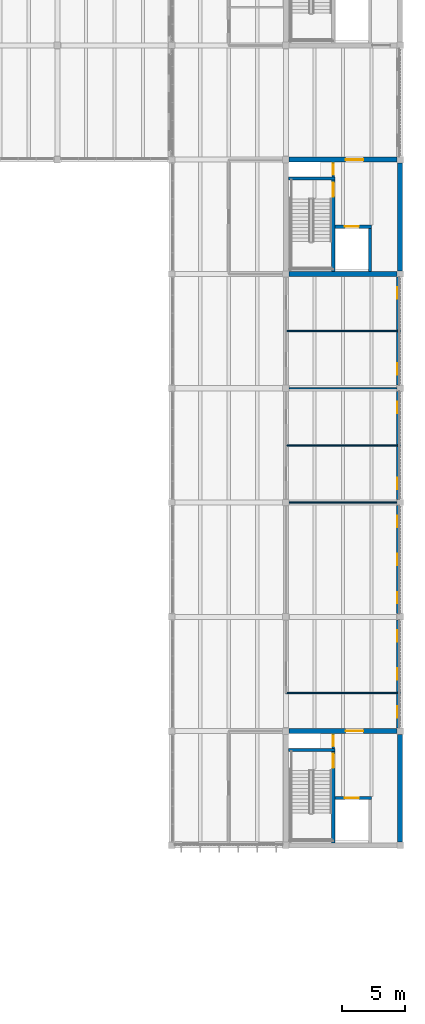
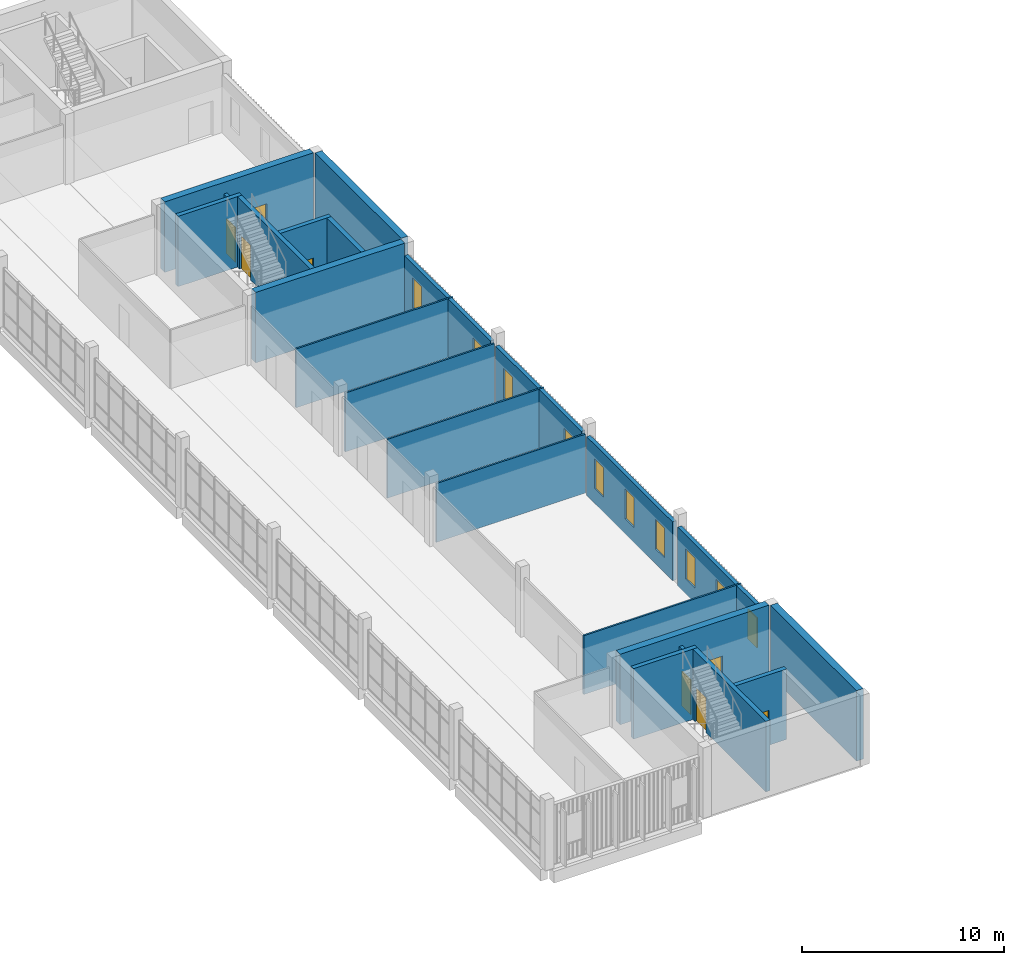
# One storey, part 55 of 92: 26 walls, 10 windows, 8 doors, 18 openings.
"""IFC4 building model written with IfcOpenShell, lengths in metres."""

from ifc_helpers import new_model, si_unit, direction, frame, frame_2d, origin, place, context, subcontext, project, spatial, rectangle, extrude, material, layer, layer_set, type_object, element, fill, save


model = new_model("IFC4")

# Units and contexts
model_context = context("Model", 3, precision=1e-05, world=origin(), true_north=direction((0.0, 1.0)))
body_context = subcontext(model_context, "Body", "Model", "MODEL_VIEW")
ifc_project = project(units=[si_unit("LENGTHUNIT", "METRE"), si_unit("AREAUNIT", "SQUARE_METRE"), si_unit("VOLUMEUNIT", "CUBIC_METRE"), si_unit("PLANEANGLEUNIT", "RADIAN"), si_unit("MASSUNIT", "GRAM", prefix="KILO")], contexts=[model_context])

# Site, building, storey
site_placement = place(None, origin())
site = spatial("IfcSite", under=ifc_project, at=site_placement, CompositionType="ELEMENT")
building_placement = place(site_placement, origin())
building = spatial("IfcBuilding", under=site, at=building_placement, Name="Merrow Basin Faculty of Sciences", CompositionType="ELEMENT")
storey_placement = place(building_placement, frame((0.0, 0.0, 4.5)))
storey = spatial("IfcBuildingStorey", under=building, at=storey_placement, Name="L01", CompositionType="ELEMENT", Elevation=4.5)

# Wall, opening, window
ifc_material_1 = material(Name="Precast concrete C40/50", Category="concrete")
ifc_layer_1 = layer(ifc_material_1, 0.215087890625)
ifc_layer_set_1 = layer_set([ifc_layer_1], Name="External infill wall 215 Precast concrete C40/50")
wall_type_1 = type_object("IfcWallType", Name="External infill wall 215 Precast concrete C40/50", PredefinedType="STANDARD", material=ifc_layer_set_1)
wall_1_placement = place(storey_placement, frame((71.80810546875, 72.949951171875, 0.0), z_axis=(0.0, 0.0, 1.0), x_axis=(0.0, -1.0, 0.0)))
wall_1 = element("IfcWall", 1, at=wall_1_placement, inside=storey, type_object=wall_type_1, Name="E external wall 1", PredefinedType="STANDARD", context=body_context, shape_type="SweptSolid", body=[
    extrude(rectangle(XDim=2.699951171875, YDim=0.215087890625, at=frame_2d((1.35009765625, 0.0))), origin(), (0.0, 0.0, 1.0), 3.550048828125),
])
opening_1_placement = place(wall_1_placement, frame((1.0, 0.0, 0.89990234375)))
opening_1 = element("IfcOpeningElement", 2, at=opening_1_placement, cuts=wall_1, Name="Opening WN17", PredefinedType="OPENING", context=body_context, shape_type="SweptSolid", body=[
    extrude(rectangle(XDim=0.89990234375, YDim=1.800048828125, at=frame_2d((0.449951171875, 0.89990234375))), frame((0.0, 0.117431640625, 0.0), z_axis=(0.0, -1.0, 0.0), x_axis=(1.0, 0.0, 0.0)), (0.0, 0.0, 1.0), 0.235107421875),
])
ifc_material_2 = material(Name="Low-E double glazing", Category="glass")
window_type = type_object("IfcWindowType", Name="Boundary window 900 x 1800", PartitioningType="SINGLE_PANEL", PredefinedType="WINDOW", material=ifc_material_2)
window_1_placement = place(opening_1_placement, origin())
window_1 = element("IfcWindow", 3, at=window_1_placement, inside=storey, type_object=window_type, Name="E window L01", OverallHeight=1.800048828125, OverallWidth=0.89990234375, PartitioningType="SINGLE_PANEL", PredefinedType="WINDOW", context=body_context, shape_type="SweptSolid", body=[
    extrude(rectangle(XDim=0.89990234375, YDim=1.800048828125, at=frame_2d((0.449951171875, 0.89990234375))), frame((0.0, 0.030029296875, 0.0), z_axis=(0.0, -1.0, 0.0), x_axis=(1.0, 0.0, 0.0)), (0.0, 0.0, 1.0), 0.06005859375),
])
fill(opening_1, window_1)

# Wall, openings, windows
wall_2_placement = place(storey_placement, frame((71.80810546875, 78.75, 0.0), z_axis=(0.0, 0.0, 1.0), x_axis=(0.0, -1.0, 0.0)))
wall_2 = element("IfcWall", 4, at=wall_2_placement, inside=storey, type_object=wall_type_1, Name="E external wall 2", PredefinedType="STANDARD", context=body_context, shape_type="SweptSolid", body=[
    extrude(rectangle(XDim=5.699951171875, YDim=0.215087890625, at=frame_2d((2.85009765625, 0.0))), origin(), (0.0, 0.0, 1.0), 3.550048828125),
])
opening_2_placement = place(wall_2_placement, frame((3.800048828125, 0.0, 0.89990234375)))
opening_2 = element("IfcOpeningElement", 5, at=opening_2_placement, cuts=wall_2, Name="Opening WN17", PredefinedType="OPENING", context=body_context, shape_type="SweptSolid", body=[
    extrude(rectangle(XDim=0.89990234375, YDim=1.800048828125, at=frame_2d((0.449951171875, 0.89990234375))), frame((0.0, 0.117431640625, 0.0), z_axis=(0.0, -1.0, 0.0), x_axis=(1.0, 0.0, 0.0)), (0.0, 0.0, 1.0), 0.235107421875),
])
opening_3_placement = place(wall_2_placement, frame((0.800048828125, 0.0, 0.89990234375)))
opening_3 = element("IfcOpeningElement", 6, at=opening_3_placement, cuts=wall_2, Name="Opening WN17", PredefinedType="OPENING", context=body_context, shape_type="SweptSolid", body=[
    extrude(rectangle(XDim=0.89990234375, YDim=1.800048828125, at=frame_2d((0.449951171875, 0.89990234375))), frame((0.0, 0.117431640625, 0.0), z_axis=(0.0, -1.0, 0.0), x_axis=(1.0, 0.0, 0.0)), (0.0, 0.0, 1.0), 0.235107421875),
])
window_2_placement = place(opening_2_placement, origin())
window_2 = element("IfcWindow", 7, at=window_2_placement, inside=storey, type_object=window_type, Name="E window L01", OverallHeight=1.800048828125, OverallWidth=0.89990234375, PartitioningType="SINGLE_PANEL", PredefinedType="WINDOW", context=body_context, shape_type="SweptSolid", body=[
    extrude(rectangle(XDim=0.89990234375, YDim=1.800048828125, at=frame_2d((0.449951171875, 0.89990234375))), frame((0.0, 0.030029296875, 0.0), z_axis=(0.0, -1.0, 0.0), x_axis=(1.0, 0.0, 0.0)), (0.0, 0.0, 1.0), 0.06005859375),
])
fill(opening_2, window_2)
window_3_placement = place(opening_3_placement, origin())
window_3 = element("IfcWindow", 8, at=window_3_placement, inside=storey, type_object=window_type, Name="E window L01", OverallHeight=1.800048828125, OverallWidth=0.89990234375, PartitioningType="SINGLE_PANEL", PredefinedType="WINDOW", context=body_context, shape_type="SweptSolid", body=[
    extrude(rectangle(XDim=0.89990234375, YDim=1.800048828125, at=frame_2d((0.449951171875, 0.89990234375))), frame((0.0, 0.030029296875, 0.0), z_axis=(0.0, -1.0, 0.0), x_axis=(1.0, 0.0, 0.0)), (0.0, 0.0, 1.0), 0.06005859375),
])
fill(opening_3, window_3)

wall_3_placement = place(storey_placement, frame((71.80810546875, 87.75, 0.0), z_axis=(0.0, 0.0, 1.0), x_axis=(0.0, -1.0, 0.0)))
wall_3 = element("IfcWall", 9, at=wall_3_placement, inside=storey, type_object=wall_type_1, Name="E external wall 3", PredefinedType="STANDARD", context=body_context, shape_type="SweptSolid", body=[
    extrude(rectangle(XDim=8.5, YDim=0.215087890625, at=frame_2d((4.25, 0.0))), origin(), (0.0, 0.0, 1.0), 3.550048828125),
])
opening_4_placement = place(wall_3_placement, frame((6.800048828125, 0.0, 0.89990234375)))
opening_4 = element("IfcOpeningElement", 10, at=opening_4_placement, cuts=wall_3, Name="Opening WN17", PredefinedType="OPENING", context=body_context, shape_type="SweptSolid", body=[
    extrude(rectangle(XDim=0.89990234375, YDim=1.800048828125, at=frame_2d((0.449951171875, 0.89990234375))), frame((0.0, 0.117431640625, 0.0), z_axis=(0.0, -1.0, 0.0), x_axis=(1.0, 0.0, 0.0)), (0.0, 0.0, 1.0), 0.235107421875),
])
opening_5_placement = place(wall_3_placement, frame((3.800048828125, 0.0, 0.89990234375)))
opening_5 = element("IfcOpeningElement", 11, at=opening_5_placement, cuts=wall_3, Name="Opening WN17", PredefinedType="OPENING", context=body_context, shape_type="SweptSolid", body=[
    extrude(rectangle(XDim=0.89990234375, YDim=1.800048828125, at=frame_2d((0.449951171875, 0.89990234375))), frame((0.0, 0.117431640625, 0.0), z_axis=(0.0, -1.0, 0.0), x_axis=(1.0, 0.0, 0.0)), (0.0, 0.0, 1.0), 0.235107421875),
])
opening_6_placement = place(wall_3_placement, frame((0.800048828125, 0.0, 0.89990234375)))
opening_6 = element("IfcOpeningElement", 12, at=opening_6_placement, cuts=wall_3, Name="Opening WN17", PredefinedType="OPENING", context=body_context, shape_type="SweptSolid", body=[
    extrude(rectangle(XDim=0.89990234375, YDim=1.800048828125, at=frame_2d((0.449951171875, 0.89990234375))), frame((0.0, 0.117431640625, 0.0), z_axis=(0.0, -1.0, 0.0), x_axis=(1.0, 0.0, 0.0)), (0.0, 0.0, 1.0), 0.235107421875),
])
window_4_placement = place(opening_4_placement, origin())
window_4 = element("IfcWindow", 13, at=window_4_placement, inside=storey, type_object=window_type, Name="E window L01", OverallHeight=1.800048828125, OverallWidth=0.89990234375, PartitioningType="SINGLE_PANEL", PredefinedType="WINDOW", context=body_context, shape_type="SweptSolid", body=[
    extrude(rectangle(XDim=0.89990234375, YDim=1.800048828125, at=frame_2d((0.449951171875, 0.89990234375))), frame((0.0, 0.030029296875, 0.0), z_axis=(0.0, -1.0, 0.0), x_axis=(1.0, 0.0, 0.0)), (0.0, 0.0, 1.0), 0.06005859375),
])
fill(opening_4, window_4)
window_5_placement = place(opening_5_placement, origin())
window_5 = element("IfcWindow", 14, at=window_5_placement, inside=storey, type_object=window_type, Name="E window L01", OverallHeight=1.800048828125, OverallWidth=0.89990234375, PartitioningType="SINGLE_PANEL", PredefinedType="WINDOW", context=body_context, shape_type="SweptSolid", body=[
    extrude(rectangle(XDim=0.89990234375, YDim=1.800048828125, at=frame_2d((0.449951171875, 0.89990234375))), frame((0.0, 0.030029296875, 0.0), z_axis=(0.0, -1.0, 0.0), x_axis=(1.0, 0.0, 0.0)), (0.0, 0.0, 1.0), 0.06005859375),
])
fill(opening_5, window_5)
window_6_placement = place(opening_6_placement, origin())
window_6 = element("IfcWindow", 15, at=window_6_placement, inside=storey, type_object=window_type, Name="E window L01", OverallHeight=1.800048828125, OverallWidth=0.89990234375, PartitioningType="SINGLE_PANEL", PredefinedType="WINDOW", context=body_context, shape_type="SweptSolid", body=[
    extrude(rectangle(XDim=0.89990234375, YDim=1.800048828125, at=frame_2d((0.449951171875, 0.89990234375))), frame((0.0, 0.030029296875, 0.0), z_axis=(0.0, -1.0, 0.0), x_axis=(1.0, 0.0, 0.0)), (0.0, 0.0, 1.0), 0.06005859375),
])
fill(opening_6, window_6)

# Wall, opening, window
wall_4_placement = place(storey_placement, frame((71.80810546875, 92.449951171875, 0.0), z_axis=(0.0, 0.0, 1.0), x_axis=(0.0, -1.0, 0.0)))
wall_4 = element("IfcWall", 16, at=wall_4_placement, inside=storey, type_object=wall_type_1, Name="E external wall 4", PredefinedType="STANDARD", context=body_context, shape_type="SweptSolid", body=[
    extrude(rectangle(XDim=4.199951171875, YDim=0.215087890625, at=frame_2d((2.10009765625, 0.0))), origin(), (0.0, 0.0, 1.0), 3.550048828125),
])
opening_7_placement = place(wall_4_placement, frame((2.5, 0.0, 0.89990234375)))
opening_7 = element("IfcOpeningElement", 17, at=opening_7_placement, cuts=wall_4, Name="Opening WN17", PredefinedType="OPENING", context=body_context, shape_type="SweptSolid", body=[
    extrude(rectangle(XDim=0.89990234375, YDim=1.800048828125, at=frame_2d((0.449951171875, 0.89990234375))), frame((0.0, 0.117431640625, 0.0), z_axis=(0.0, -1.0, 0.0), x_axis=(1.0, 0.0, 0.0)), (0.0, 0.0, 1.0), 0.235107421875),
])
window_7_placement = place(opening_7_placement, origin())
window_7 = element("IfcWindow", 18, at=window_7_placement, inside=storey, type_object=window_type, Name="E window L01", OverallHeight=1.800048828125, OverallWidth=0.89990234375, PartitioningType="SINGLE_PANEL", PredefinedType="WINDOW", context=body_context, shape_type="SweptSolid", body=[
    extrude(rectangle(XDim=0.89990234375, YDim=1.800048828125, at=frame_2d((0.449951171875, 0.89990234375))), frame((0.0, 0.030029296875, 0.0), z_axis=(0.0, -1.0, 0.0), x_axis=(1.0, 0.0, 0.0)), (0.0, 0.0, 1.0), 0.06005859375),
])
fill(opening_7, window_7)

wall_5_placement = place(storey_placement, frame((71.80810546875, 96.75, 0.0), z_axis=(0.0, 0.0, 1.0), x_axis=(0.0, -1.0, 0.0)))
wall_5 = element("IfcWall", 19, at=wall_5_placement, inside=storey, type_object=wall_type_1, Name="E external wall 5", PredefinedType="STANDARD", context=body_context, shape_type="SweptSolid", body=[
    extrude(rectangle(XDim=4.199951171875, YDim=0.215087890625, at=frame_2d((2.10009765625, 0.0))), origin(), (0.0, 0.0, 1.0), 3.550048828125),
])
opening_8_placement = place(wall_5_placement, frame((0.800048828125, 0.0, 0.89990234375)))
opening_8 = element("IfcOpeningElement", 20, at=opening_8_placement, cuts=wall_5, Name="Opening WN17", PredefinedType="OPENING", context=body_context, shape_type="SweptSolid", body=[
    extrude(rectangle(XDim=0.89990234375, YDim=1.800048828125, at=frame_2d((0.449951171875, 0.89990234375))), frame((0.0, 0.117431640625, 0.0), z_axis=(0.0, -1.0, 0.0), x_axis=(1.0, 0.0, 0.0)), (0.0, 0.0, 1.0), 0.235107421875),
])
window_8_placement = place(opening_8_placement, origin())
window_8 = element("IfcWindow", 21, at=window_8_placement, inside=storey, type_object=window_type, Name="E window L01", OverallHeight=1.800048828125, OverallWidth=0.89990234375, PartitioningType="SINGLE_PANEL", PredefinedType="WINDOW", context=body_context, shape_type="SweptSolid", body=[
    extrude(rectangle(XDim=0.89990234375, YDim=1.800048828125, at=frame_2d((0.449951171875, 0.89990234375))), frame((0.0, 0.030029296875, 0.0), z_axis=(0.0, -1.0, 0.0), x_axis=(1.0, 0.0, 0.0)), (0.0, 0.0, 1.0), 0.06005859375),
])
fill(opening_8, window_8)

wall_6_placement = place(storey_placement, frame((71.80810546875, 101.449951171875, 0.0), z_axis=(0.0, 0.0, 1.0), x_axis=(0.0, -1.0, 0.0)))
wall_6 = element("IfcWall", 22, at=wall_6_placement, inside=storey, type_object=wall_type_1, Name="E external wall 6", PredefinedType="STANDARD", context=body_context, shape_type="SweptSolid", body=[
    extrude(rectangle(XDim=4.199951171875, YDim=0.215087890625, at=frame_2d((2.10009765625, 0.0))), origin(), (0.0, 0.0, 1.0), 3.550048828125),
])
opening_9_placement = place(wall_6_placement, frame((2.5, 0.0, 0.89990234375)))
opening_9 = element("IfcOpeningElement", 23, at=opening_9_placement, cuts=wall_6, Name="Opening WN17", PredefinedType="OPENING", context=body_context, shape_type="SweptSolid", body=[
    extrude(rectangle(XDim=0.89990234375, YDim=1.800048828125, at=frame_2d((0.449951171875, 0.89990234375))), frame((0.0, 0.117431640625, 0.0), z_axis=(0.0, -1.0, 0.0), x_axis=(1.0, 0.0, 0.0)), (0.0, 0.0, 1.0), 0.235107421875),
])
window_9_placement = place(opening_9_placement, origin())
window_9 = element("IfcWindow", 24, at=window_9_placement, inside=storey, type_object=window_type, Name="E window L01", OverallHeight=1.800048828125, OverallWidth=0.89990234375, PartitioningType="SINGLE_PANEL", PredefinedType="WINDOW", context=body_context, shape_type="SweptSolid", body=[
    extrude(rectangle(XDim=0.89990234375, YDim=1.800048828125, at=frame_2d((0.449951171875, 0.89990234375))), frame((0.0, 0.030029296875, 0.0), z_axis=(0.0, -1.0, 0.0), x_axis=(1.0, 0.0, 0.0)), (0.0, 0.0, 1.0), 0.06005859375),
])
fill(opening_9, window_9)

wall_7_placement = place(storey_placement, frame((71.80810546875, 105.75, 0.0), z_axis=(0.0, 0.0, 1.0), x_axis=(0.0, -1.0, 0.0)))
wall_7 = element("IfcWall", 25, at=wall_7_placement, inside=storey, type_object=wall_type_1, Name="E external wall 7", PredefinedType="STANDARD", context=body_context, shape_type="SweptSolid", body=[
    extrude(rectangle(XDim=4.199951171875, YDim=0.215087890625, at=frame_2d((2.10009765625, 0.0))), origin(), (0.0, 0.0, 1.0), 3.550048828125),
])
opening_10_placement = place(wall_7_placement, frame((0.800048828125, 0.0, 0.89990234375)))
opening_10 = element("IfcOpeningElement", 26, at=opening_10_placement, cuts=wall_7, Name="Opening WN17", PredefinedType="OPENING", context=body_context, shape_type="SweptSolid", body=[
    extrude(rectangle(XDim=0.89990234375, YDim=1.800048828125, at=frame_2d((0.449951171875, 0.89990234375))), frame((0.0, 0.117431640625, 0.0), z_axis=(0.0, -1.0, 0.0), x_axis=(1.0, 0.0, 0.0)), (0.0, 0.0, 1.0), 0.235107421875),
])
window_10_placement = place(opening_10_placement, origin())
window_10 = element("IfcWindow", 27, at=window_10_placement, inside=storey, type_object=window_type, Name="E window L01", OverallHeight=1.800048828125, OverallWidth=0.89990234375, PartitioningType="SINGLE_PANEL", PredefinedType="WINDOW", context=body_context, shape_type="SweptSolid", body=[
    extrude(rectangle(XDim=0.89990234375, YDim=1.800048828125, at=frame_2d((0.449951171875, 0.89990234375))), frame((0.0, 0.030029296875, 0.0), z_axis=(0.0, -1.0, 0.0), x_axis=(1.0, 0.0, 0.0)), (0.0, 0.0, 1.0), 0.06005859375),
])
fill(opening_10, window_10)

# Walls
ifc_material_3 = material(Name="Gypsum board")
ifc_layer_2 = layer(ifc_material_3, 0.10009765625)
ifc_layer_set_2 = layer_set([ifc_layer_2], Name="Partition 100 gypsum board on steel studs")
wall_type_2 = type_object("IfcWallType", Name="Partition 100 gypsum board on steel studs", PredefinedType="PARTITIONING", material=ifc_layer_set_2)
wall_8_placement = place(storey_placement, frame((63.0, 73.0, 0.0), z_axis=(0.0, 0.0, 1.0), x_axis=(1.0, 0.0, 0.0)))
element("IfcWall", 28, at=wall_8_placement, inside=storey, type_object=wall_type_2, Name="IW100 L01 017", PredefinedType="PARTITIONING", context=body_context, shape_type="SweptSolid", body=[
    extrude(rectangle(XDim=9.0, YDim=0.10009765625, at=frame_2d((4.5, 0.0))), origin(), (0.0, 0.0, 1.0), 3.550048828125),
])
wall_9_placement = place(storey_placement, frame((63.25, 88.0, 0.0), z_axis=(0.0, 0.0, 1.0), x_axis=(1.0, 0.0, 0.0)))
element("IfcWall", 29, at=wall_9_placement, inside=storey, type_object=wall_type_2, Name="IW100 L01 018", PredefinedType="PARTITIONING", context=body_context, shape_type="SweptSolid", body=[
    extrude(rectangle(XDim=8.5, YDim=0.10009765625, at=frame_2d((4.25, 0.0))), origin(), (0.0, 0.0, 1.0), 3.550048828125),
])
wall_10_placement = place(storey_placement, frame((63.050048828125, 92.5, 0.0), z_axis=(0.0, 0.0, 1.0), x_axis=(1.0, 0.0, 0.0)))
element("IfcWall", 30, at=wall_10_placement, inside=storey, type_object=wall_type_2, Name="IW100 L01 019", PredefinedType="PARTITIONING", context=body_context, shape_type="SweptSolid", body=[
    extrude(rectangle(XDim=8.949951171875, YDim=0.10009765625, at=frame_2d((4.47509765625, 0.0))), origin(), (0.0, 0.0, 1.0), 3.550048828125),
])
wall_11_placement = place(storey_placement, frame((63.25, 97.0, 0.0), z_axis=(0.0, 0.0, 1.0), x_axis=(1.0, 0.0, 0.0)))
element("IfcWall", 31, at=wall_11_placement, inside=storey, type_object=wall_type_2, Name="IW100 L01 020", PredefinedType="PARTITIONING", context=body_context, shape_type="SweptSolid", body=[
    extrude(rectangle(XDim=8.5, YDim=0.10009765625, at=frame_2d((4.25, 0.0))), origin(), (0.0, 0.0, 1.0), 3.550048828125),
])
wall_12_placement = place(storey_placement, frame((63.050048828125, 101.5, 0.0), z_axis=(0.0, 0.0, 1.0), x_axis=(1.0, 0.0, 0.0)))
element("IfcWall", 32, at=wall_12_placement, inside=storey, type_object=wall_type_2, Name="IW100 L01 021", PredefinedType="PARTITIONING", context=body_context, shape_type="SweptSolid", body=[
    extrude(rectangle(XDim=8.949951171875, YDim=0.10009765625, at=frame_2d((4.47509765625, 0.0))), origin(), (0.0, 0.0, 1.0), 3.550048828125),
])

# Wall, opening, door
ifc_material_4 = material(Name="Fire-rated gypsum board")
ifc_layer_3 = layer(ifc_material_4, 0.199951171875)
ifc_layer_set_3 = layer_set([ifc_layer_3], Name="Riser lining 200 fire-rated board on steel studs")
wall_type_3 = type_object("IfcWallType", Name="Riser lining 200 fire-rated board on steel studs", PredefinedType="PARTITIONING", material=ifc_layer_set_3)
wall_13_placement = place(storey_placement, frame((66.72509765625, 68.64990234375, 0.0), z_axis=(0.0, 0.0, 1.0), x_axis=(0.0, 1.0, 0.0)))
wall_13 = element("IfcWall", 33, at=wall_13_placement, inside=storey, type_object=wall_type_3, Name="IW200 L01 002", PredefinedType="PARTITIONING", context=body_context, shape_type="SweptSolid", body=[
    extrude(rectangle(XDim=1.150146484375, YDim=0.199951171875, at=frame_2d((0.5751953125, 0.0))), origin(), (0.0, 0.0, 1.0), 3.550048828125),
])
opening_11_placement = place(wall_13_placement, frame((0.14990234375, 0.0, 0.0)))
opening_11 = element("IfcOpeningElement", 34, at=opening_11_placement, cuts=wall_13, Name="Opening D01C003", PredefinedType="OPENING", context=body_context, shape_type="SweptSolid", body=[
    extrude(rectangle(XDim=0.89990234375, YDim=2.10009765625, at=frame_2d((0.449951171875, 1.050048828125))), frame((0.0, 0.10986328125, 0.0), z_axis=(0.0, -1.0, 0.0), x_axis=(1.0, 0.0, 0.0)), (0.0, 0.0, 1.0), 0.219970703125),
])
ifc_material_5 = material(Name="Fire-rated steel door", Category="steel")
door_type_1 = type_object("IfcDoorType", Name="Fire door FD60 900 x 2100", OperationType="NOTDEFINED", PredefinedType="DOOR", material=ifc_material_5)
door_1_placement = place(opening_11_placement, origin())
door_1 = element("IfcDoor", 35, at=door_1_placement, inside=storey, type_object=door_type_1, Name="Door D01C003", OperationType="SINGLE_SWING_LEFT", OverallHeight=2.10009765625, OverallWidth=0.89990234375, PredefinedType="DOOR", context=body_context, shape_type="SweptSolid", body=[
    extrude(rectangle(XDim=0.89990234375, YDim=2.10009765625, at=frame_2d((0.449951171875, 1.050048828125))), frame((0.0, 0.02490234375, 0.0), z_axis=(0.0, -1.0, 0.0), x_axis=(1.0, 0.0, 0.0)), (0.0, 0.0, 1.0), 0.050048828125),
])
fill(opening_11, door_1)

wall_14_placement = place(storey_placement, frame((66.72509765625, 113.64990234375, 0.0), z_axis=(0.0, 0.0, 1.0), x_axis=(0.0, 1.0, 0.0)))
wall_14 = element("IfcWall", 36, at=wall_14_placement, inside=storey, type_object=wall_type_3, Name="IW200 L01 003", PredefinedType="PARTITIONING", context=body_context, shape_type="SweptSolid", body=[
    extrude(rectangle(XDim=1.150146484375, YDim=0.199951171875, at=frame_2d((0.5751953125, 0.0))), origin(), (0.0, 0.0, 1.0), 3.550048828125),
])
opening_12_placement = place(wall_14_placement, frame((0.14990234375, 0.0, 0.0)))
opening_12 = element("IfcOpeningElement", 37, at=opening_12_placement, cuts=wall_14, Name="Opening D01C006", PredefinedType="OPENING", context=body_context, shape_type="SweptSolid", body=[
    extrude(rectangle(XDim=0.89990234375, YDim=2.10009765625, at=frame_2d((0.449951171875, 1.050048828125))), frame((0.0, 0.10986328125, 0.0), z_axis=(0.0, -1.0, 0.0), x_axis=(1.0, 0.0, 0.0)), (0.0, 0.0, 1.0), 0.219970703125),
])
door_2_placement = place(opening_12_placement, origin())
door_2 = element("IfcDoor", 38, at=door_2_placement, inside=storey, type_object=door_type_1, Name="Door D01C006", OperationType="SINGLE_SWING_LEFT", OverallHeight=2.10009765625, OverallWidth=0.89990234375, PredefinedType="DOOR", context=body_context, shape_type="SweptSolid", body=[
    extrude(rectangle(XDim=0.89990234375, YDim=2.10009765625, at=frame_2d((0.449951171875, 1.050048828125))), frame((0.0, 0.02490234375, 0.0), z_axis=(0.0, -1.0, 0.0), x_axis=(1.0, 0.0, 0.0)), (0.0, 0.0, 1.0), 0.050048828125),
])
fill(opening_12, door_2)

# Wall
ifc_material_6 = material(Name="Concrete C40/50", Category="concrete")
ifc_layer_4 = layer(ifc_material_6, 0.25)
ifc_layer_set_4 = layer_set([ifc_layer_4], Name="Shear wall 250 Concrete C40/50")
wall_type_4 = type_object("IfcWallType", Name="Shear wall 250 Concrete C40/50", PredefinedType="SHEAR", material=ifc_layer_set_4)
wall_15_placement = place(storey_placement, frame((63.199951171875, 68.52490234375, 0.0), z_axis=(0.0, 0.0, 1.0), x_axis=(1.0, 0.0, 0.0)))
element("IfcWall", 39, at=wall_15_placement, inside=storey, type_object=wall_type_4, Name="SW2 L01 013", PredefinedType="SHEAR", context=body_context, shape_type="SweptSolid", body=[
    extrude(rectangle(XDim=3.650146484375, YDim=0.25, at=frame_2d((1.8251953125, 0.0))), origin(), (0.0, 0.0, 1.0), 4.25),
])

# Wall, opening, door
wall_16_placement = place(storey_placement, frame((66.72509765625, 61.199951171875, 0.0), z_axis=(0.0, 0.0, 1.0), x_axis=(0.0, 1.0, 0.0)))
wall_16 = element("IfcWall", 40, at=wall_16_placement, inside=storey, type_object=wall_type_4, Name="SW2 L01 014", PredefinedType="SHEAR", context=body_context, shape_type="SweptSolid", body=[
    extrude(rectangle(XDim=7.199951171875, YDim=0.25, at=frame_2d((3.60009765625, 0.0))), origin(), (0.0, 0.0, 1.0), 4.25),
])
opening_13_placement = place(wall_16_placement, frame((5.89990234375, 0.0, 0.0)))
opening_13 = element("IfcOpeningElement", 41, at=opening_13_placement, cuts=wall_16, Name="Opening D01C001", PredefinedType="OPENING", context=body_context, shape_type="SweptSolid", body=[
    extrude(rectangle(XDim=1.10009765625, YDim=2.10009765625, at=frame_2d((0.550048828125, 1.050048828125))), frame((0.0, 0.135009765625, 0.0), z_axis=(0.0, -1.0, 0.0), x_axis=(1.0, 0.0, 0.0)), (0.0, 0.0, 1.0), 0.27001953125),
])
ifc_material_7 = material(Name="Fire-rated steel door", Category="steel")
door_type_2 = type_object("IfcDoorType", Name="Fire door FD90 1100 x 2100", OperationType="NOTDEFINED", PredefinedType="DOOR", material=ifc_material_7)
door_3_placement = place(opening_13_placement, origin())
door_3 = element("IfcDoor", 42, at=door_3_placement, inside=storey, type_object=door_type_2, Name="Door D01C001", OperationType="SINGLE_SWING_RIGHT", OverallHeight=2.10009765625, OverallWidth=1.10009765625, PredefinedType="DOOR", context=body_context, shape_type="SweptSolid", body=[
    extrude(rectangle(XDim=1.10009765625, YDim=2.10009765625, at=frame_2d((0.550048828125, 1.050048828125))), frame((0.0, 0.02490234375, 0.0), z_axis=(0.0, -1.0, 0.0), x_axis=(1.0, 0.0, 0.0)), (0.0, 0.0, 1.0), 0.050048828125),
])
fill(opening_13, door_3)

wall_17_placement = place(storey_placement, frame((66.85009765625, 64.72509765625, 0.0), z_axis=(0.0, 0.0, 1.0), x_axis=(1.0, 0.0, 0.0)))
wall_17 = element("IfcWall", 43, at=wall_17_placement, inside=storey, type_object=wall_type_4, Name="SW2 L01 015", PredefinedType="SHEAR", context=body_context, shape_type="SweptSolid", body=[
    extrude(rectangle(XDim=2.89990234375, YDim=0.25, at=frame_2d((1.449951171875, 0.0))), origin(), (0.0, 0.0, 1.0), 4.25),
])
opening_14_placement = place(wall_17_placement, frame((0.800048828125, 0.0, 0.0)))
opening_14 = element("IfcOpeningElement", 44, at=opening_14_placement, cuts=wall_17, Name="Opening LD01C02", PredefinedType="OPENING", context=body_context, shape_type="SweptSolid", body=[
    extrude(rectangle(XDim=1.10009765625, YDim=2.10009765625, at=frame_2d((0.550048828125, 1.050048828125))), frame((0.0, 0.135009765625, 0.0), z_axis=(0.0, -1.0, 0.0), x_axis=(1.0, 0.0, 0.0)), (0.0, 0.0, 1.0), 0.27001953125),
])
ifc_material_8 = material(Name="Stainless steel sliding door", Category="steel")
door_type_3 = type_object("IfcDoorType", Name="Lift landing door 1100 x 2100 sliding", OperationType="NOTDEFINED", PredefinedType="DOOR", material=ifc_material_8)
door_4_placement = place(opening_14_placement, origin())
door_4 = element("IfcDoor", 45, at=door_4_placement, inside=storey, type_object=door_type_3, Name="Landing door LF6 L01", OperationType="SLIDING_TO_LEFT", OverallHeight=2.10009765625, OverallWidth=1.10009765625, PredefinedType="DOOR", context=body_context, shape_type="SweptSolid", body=[
    extrude(rectangle(XDim=1.10009765625, YDim=2.10009765625, at=frame_2d((0.550048828125, 1.050048828125))), frame((0.0, 0.02490234375, 0.0), z_axis=(0.0, -1.0, 0.0), x_axis=(1.0, 0.0, 0.0)), (0.0, 0.0, 1.0), 0.050048828125),
])
fill(opening_14, door_4)

# Wall
wall_18_placement = place(storey_placement, frame((63.199951171875, 113.52490234375, 0.0), z_axis=(0.0, 0.0, 1.0), x_axis=(1.0, 0.0, 0.0)))
element("IfcWall", 46, at=wall_18_placement, inside=storey, type_object=wall_type_4, Name="SW2 L01 021", PredefinedType="SHEAR", context=body_context, shape_type="SweptSolid", body=[
    extrude(rectangle(XDim=3.650146484375, YDim=0.25, at=frame_2d((1.8251953125, 0.0))), origin(), (0.0, 0.0, 1.0), 4.25),
])

# Wall, opening, door
wall_19_placement = place(storey_placement, frame((66.72509765625, 106.199951171875, 0.0), z_axis=(0.0, 0.0, 1.0), x_axis=(0.0, 1.0, 0.0)))
wall_19 = element("IfcWall", 47, at=wall_19_placement, inside=storey, type_object=wall_type_4, Name="SW2 L01 022", PredefinedType="SHEAR", context=body_context, shape_type="SweptSolid", body=[
    extrude(rectangle(XDim=7.199951171875, YDim=0.25, at=frame_2d((3.60009765625, 0.0))), origin(), (0.0, 0.0, 1.0), 4.25),
])
opening_15_placement = place(wall_19_placement, frame((5.89990234375, 0.0, 0.0)))
opening_15 = element("IfcOpeningElement", 48, at=opening_15_placement, cuts=wall_19, Name="Opening D01C004", PredefinedType="OPENING", context=body_context, shape_type="SweptSolid", body=[
    extrude(rectangle(XDim=1.10009765625, YDim=2.10009765625, at=frame_2d((0.550048828125, 1.050048828125))), frame((0.0, 0.135009765625, 0.0), z_axis=(0.0, -1.0, 0.0), x_axis=(1.0, 0.0, 0.0)), (0.0, 0.0, 1.0), 0.27001953125),
])
door_5_placement = place(opening_15_placement, origin())
door_5 = element("IfcDoor", 49, at=door_5_placement, inside=storey, type_object=door_type_2, Name="Door D01C004", OperationType="SINGLE_SWING_RIGHT", OverallHeight=2.10009765625, OverallWidth=1.10009765625, PredefinedType="DOOR", context=body_context, shape_type="SweptSolid", body=[
    extrude(rectangle(XDim=1.10009765625, YDim=2.10009765625, at=frame_2d((0.550048828125, 1.050048828125))), frame((0.0, 0.02490234375, 0.0), z_axis=(0.0, -1.0, 0.0), x_axis=(1.0, 0.0, 0.0)), (0.0, 0.0, 1.0), 0.050048828125),
])
fill(opening_15, door_5)

wall_20_placement = place(storey_placement, frame((66.85009765625, 109.72509765625, 0.0), z_axis=(0.0, 0.0, 1.0), x_axis=(1.0, 0.0, 0.0)))
wall_20 = element("IfcWall", 50, at=wall_20_placement, inside=storey, type_object=wall_type_4, Name="SW2 L01 023", PredefinedType="SHEAR", context=body_context, shape_type="SweptSolid", body=[
    extrude(rectangle(XDim=2.89990234375, YDim=0.25, at=frame_2d((1.449951171875, 0.0))), origin(), (0.0, 0.0, 1.0), 4.25),
])
opening_16_placement = place(wall_20_placement, frame((0.800048828125, 0.0, 0.0)))
opening_16 = element("IfcOpeningElement", 51, at=opening_16_placement, cuts=wall_20, Name="Opening LD01C03", PredefinedType="OPENING", context=body_context, shape_type="SweptSolid", body=[
    extrude(rectangle(XDim=1.10009765625, YDim=2.10009765625, at=frame_2d((0.550048828125, 1.050048828125))), frame((0.0, 0.135009765625, 0.0), z_axis=(0.0, -1.0, 0.0), x_axis=(1.0, 0.0, 0.0)), (0.0, 0.0, 1.0), 0.27001953125),
])
door_6_placement = place(opening_16_placement, origin())
door_6 = element("IfcDoor", 52, at=door_6_placement, inside=storey, type_object=door_type_3, Name="Landing door LF7 L01", OperationType="SLIDING_TO_LEFT", OverallHeight=2.10009765625, OverallWidth=1.10009765625, PredefinedType="DOOR", context=body_context, shape_type="SweptSolid", body=[
    extrude(rectangle(XDim=1.10009765625, YDim=2.10009765625, at=frame_2d((0.550048828125, 1.050048828125))), frame((0.0, 0.02490234375, 0.0), z_axis=(0.0, -1.0, 0.0), x_axis=(1.0, 0.0, 0.0)), (0.0, 0.0, 1.0), 0.050048828125),
])
fill(opening_16, door_6)

# Wall
wall_21_placement = place(storey_placement, frame((69.625, 106.199951171875, 0.0), z_axis=(0.0, 0.0, 1.0), x_axis=(0.0, 1.0, 0.0)))
element("IfcWall", 53, at=wall_21_placement, inside=storey, type_object=wall_type_4, Name="SW2 L01 024", PredefinedType="SHEAR", context=body_context, shape_type="SweptSolid", body=[
    extrude(rectangle(XDim=3.400146484375, YDim=0.25, at=frame_2d((1.7001953125, 0.0))), origin(), (0.0, 0.0, 1.0), 4.25),
])

# Wall, opening, door
ifc_material_9 = material(Name="Concrete C40/50", Category="concrete")
ifc_layer_5 = layer(ifc_material_9, 0.39990234375)
ifc_layer_set_5 = layer_set([ifc_layer_5], Name="Shear wall 400 Concrete C40/50")
wall_type_5 = type_object("IfcWallType", Name="Shear wall 400 Concrete C40/50", PredefinedType="SHEAR", material=ifc_layer_set_5)
wall_22_placement = place(storey_placement, frame((63.25, 70.0, 0.0), z_axis=(0.0, 0.0, 1.0), x_axis=(1.0, 0.0, 0.0)))
wall_22 = element("IfcWall", 54, at=wall_22_placement, inside=storey, type_object=wall_type_5, Name="SW1 L01 010", PredefinedType="SHEAR", context=body_context, shape_type="SweptSolid", body=[
    extrude(rectangle(XDim=8.5, YDim=0.39990234375, at=frame_2d((4.25, 0.0))), origin(), (0.0, 0.0, 1.0), 4.25),
])
opening_17_placement = place(wall_22_placement, frame((4.449951171875, 0.0, 0.0)))
opening_17 = element("IfcOpeningElement", 55, at=opening_17_placement, cuts=wall_22, Name="Opening D01C002", PredefinedType="OPENING", context=body_context, shape_type="SweptSolid", body=[
    extrude(rectangle(XDim=1.39990234375, YDim=2.10009765625, at=frame_2d((0.699951171875, 1.050048828125))), frame((0.0, 0.2099609375, 0.0), z_axis=(0.0, -1.0, 0.0), x_axis=(1.0, 0.0, 0.0)), (0.0, 0.0, 1.0), 0.419921875),
])
ifc_material_10 = material(Name="Fire-rated steel door", Category="steel")
door_type_4 = type_object("IfcDoorType", Name="Fire door FD60 1400 x 2100", OperationType="NOTDEFINED", PredefinedType="DOOR", material=ifc_material_10)
door_7_placement = place(opening_17_placement, origin())
door_7 = element("IfcDoor", 56, at=door_7_placement, inside=storey, type_object=door_type_4, Name="Door D01C002", OperationType="SINGLE_SWING_RIGHT", OverallHeight=2.10009765625, OverallWidth=1.39990234375, PredefinedType="DOOR", context=body_context, shape_type="SweptSolid", body=[
    extrude(rectangle(XDim=1.39990234375, YDim=2.10009765625, at=frame_2d((0.699951171875, 1.050048828125))), frame((0.0, 0.02490234375, 0.0), z_axis=(0.0, -1.0, 0.0), x_axis=(1.0, 0.0, 0.0)), (0.0, 0.0, 1.0), 0.050048828125),
])
fill(opening_17, door_7)

# Walls
for number, where, z_axis, x_axis, name in (
    (57, (72.0, 61.25, 0.0), (0.0, 0.0, 1.0), (0.0, 1.0, 0.0), "SW1 L01 012"),
    (58, (63.25, 106.0, 0.0), (0.0, 0.0, 1.0), (1.0, 0.0, 0.0), "SW1 L01 017"),
):
    element("IfcWall", number, at=place(storey_placement, frame(where, z_axis=z_axis, x_axis=x_axis)), inside=storey, type_object=wall_type_5, Name=name, PredefinedType="SHEAR", context=body_context, shape_type="SweptSolid", body=[
        extrude(rectangle(XDim=8.5, YDim=0.39990234375, at=frame_2d((4.25, 0.0))), origin(), (0.0, 0.0, 1.0), 4.25),
    ])

# Wall, opening, door
wall_23_placement = place(storey_placement, frame((63.25, 115.0, 0.0), z_axis=(0.0, 0.0, 1.0), x_axis=(1.0, 0.0, 0.0)))
wall_23 = element("IfcWall", 59, at=wall_23_placement, inside=storey, type_object=wall_type_5, Name="SW1 L01 018", PredefinedType="SHEAR", context=body_context, shape_type="SweptSolid", body=[
    extrude(rectangle(XDim=8.5, YDim=0.39990234375, at=frame_2d((4.25, 0.0))), origin(), (0.0, 0.0, 1.0), 4.25),
])
opening_18_placement = place(wall_23_placement, frame((4.449951171875, 0.0, 0.0)))
opening_18 = element("IfcOpeningElement", 60, at=opening_18_placement, cuts=wall_23, Name="Opening D01C005", PredefinedType="OPENING", context=body_context, shape_type="SweptSolid", body=[
    extrude(rectangle(XDim=1.39990234375, YDim=2.10009765625, at=frame_2d((0.699951171875, 1.050048828125))), frame((0.0, 0.2099609375, 0.0), z_axis=(0.0, -1.0, 0.0), x_axis=(1.0, 0.0, 0.0)), (0.0, 0.0, 1.0), 0.419921875),
])
door_8_placement = place(opening_18_placement, origin())
door_8 = element("IfcDoor", 61, at=door_8_placement, inside=storey, type_object=door_type_4, Name="Door D01C005", OperationType="SINGLE_SWING_RIGHT", OverallHeight=2.10009765625, OverallWidth=1.39990234375, PredefinedType="DOOR", context=body_context, shape_type="SweptSolid", body=[
    extrude(rectangle(XDim=1.39990234375, YDim=2.10009765625, at=frame_2d((0.699951171875, 1.050048828125))), frame((0.0, 0.02490234375, 0.0), z_axis=(0.0, -1.0, 0.0), x_axis=(1.0, 0.0, 0.0)), (0.0, 0.0, 1.0), 0.050048828125),
])
fill(opening_18, door_8)

# Wall
wall_24_placement = place(storey_placement, frame((72.0, 106.25, 0.0), z_axis=(0.0, 0.0, 1.0), x_axis=(0.0, 1.0, 0.0)))
element("IfcWall", 62, at=wall_24_placement, inside=storey, type_object=wall_type_5, Name="SW1 L01 020", PredefinedType="SHEAR", context=body_context, shape_type="SweptSolid", body=[
    extrude(rectangle(XDim=8.5, YDim=0.39990234375, at=frame_2d((4.25, 0.0))), origin(), (0.0, 0.0, 1.0), 4.25),
])

save(model, "model.ifc")
